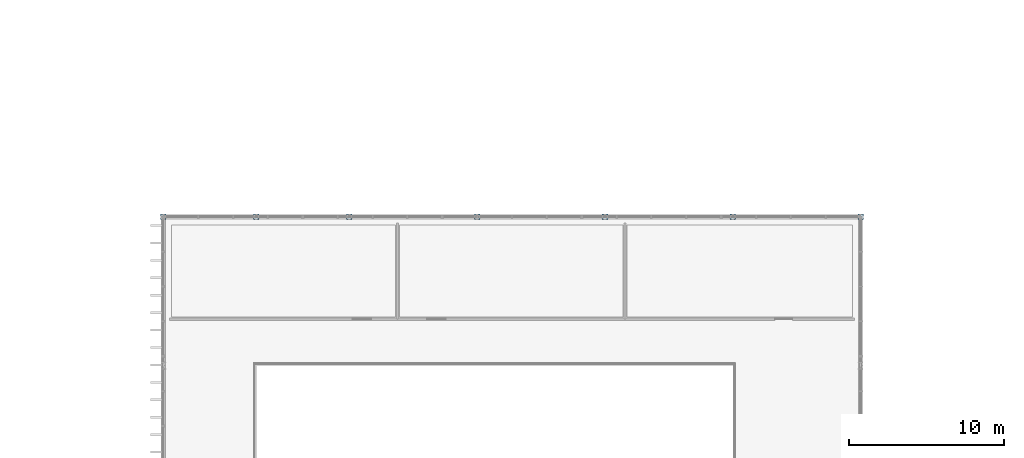
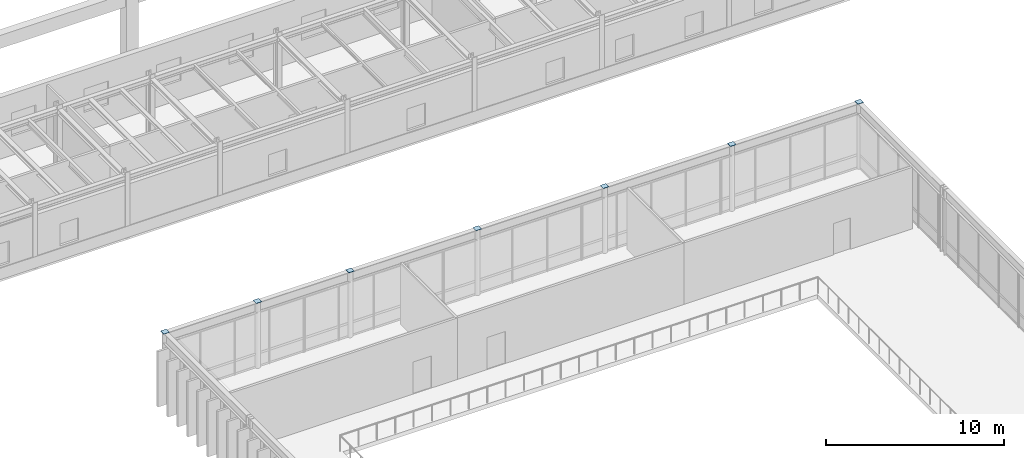
# One storey, part 41 of 64: 7 plates.
"""IFC4 building model written with IfcOpenShell, lengths in metres."""

from ifc_helpers import new_model, si_unit, direction, frame, origin, origin_2d, place, context, subcontext, project, spatial, rectangle, extrude, material, layer, layer_set, type_object, element, save


model = new_model("IFC4")

# Units and contexts
model_context = context("Model", 3, precision=1e-05, world=origin(), true_north=direction((0.0, 1.0)))
body_context = subcontext(model_context, "Body", "Model", "MODEL_VIEW")
ifc_project = project(units=[si_unit("LENGTHUNIT", "METRE"), si_unit("AREAUNIT", "SQUARE_METRE"), si_unit("VOLUMEUNIT", "CUBIC_METRE"), si_unit("PLANEANGLEUNIT", "RADIAN"), si_unit("MASSUNIT", "GRAM", prefix="KILO")], contexts=[model_context])

# Site, building, storey
site_placement = place(None, origin())
site = spatial("IfcSite", under=ifc_project, at=site_placement, CompositionType="ELEMENT")
building_placement = place(site_placement, origin())
building = spatial("IfcBuilding", under=site, at=building_placement, Name="Montealbar Specialist Clinic", CompositionType="ELEMENT")
storey_placement = place(building_placement, frame((0.0, 0.0, 5.10009765625)))
storey = spatial("IfcBuildingStorey", under=building, at=storey_placement, Name="L01", CompositionType="ELEMENT", Elevation=5.10009765625)

# Plates
ifc_material = material(Name="Steel S355", Category="steel")
ifc_layer = layer(ifc_material, 0.02001953125, Name="Steel S355", Category="steel")
ifc_layer_set = layer_set([ifc_layer], Name="Steel S355")
plate_type = type_object("IfcPlateType", Name="PL-CAP-20-EXT", PredefinedType="SHEET", material=ifc_layer_set)
for number, where, z_axis, x_axis, name in (
    (1, (54.0, 81.0, 4.495849609375), (0.0, 0.0, 1.0), (1.0, 0.0, 0.0), "Column 7/K Top End-Cap Plate"),
    (2, (60.0, 81.0, 4.495849609375), (0.0, 0.0, 1.0), (1.0, 0.0, 0.0), "Column 8/K Top End-Cap Plate"),
    (3, (66.0, 81.0, 4.495849609375), (0.0, 0.0, 1.0), (1.0, 0.0, 0.0), "Column 9/K Top End-Cap Plate"),
    (4, (74.25, 81.0, 4.495849609375), (0.0, 0.0, 1.0), (1.0, 0.0, 0.0), "Column 10/K Top End-Cap Plate"),
    (5, (82.5, 81.0, 4.495849609375), (0.0, 0.0, 1.0), (1.0, 0.0, 0.0), "Column 11/K Top End-Cap Plate"),
    (6, (90.75, 81.0, 4.495849609375), (0.0, 0.0, 1.0), (1.0, 0.0, 0.0), "Column 12/K Top End-Cap Plate"),
    (7, (99.0, 81.0, 4.495849609375), (0.0, 0.0, 1.0), (1.0, 0.0, 0.0), "Column 13/K Top End-Cap Plate"),
):
    element("IfcPlate", number, at=place(storey_placement, frame(where, z_axis=z_axis, x_axis=x_axis)), inside=storey, type_object=plate_type, Name=name, PredefinedType="SHEET", context=body_context, shape_type="SweptSolid", body=[
        extrude(rectangle(XDim=0.360107421875, YDim=0.360107421875, at=origin_2d()), origin(), (0.0, 0.0, 1.0), 0.02001953125),
    ])

save(model, "model.ifc")
